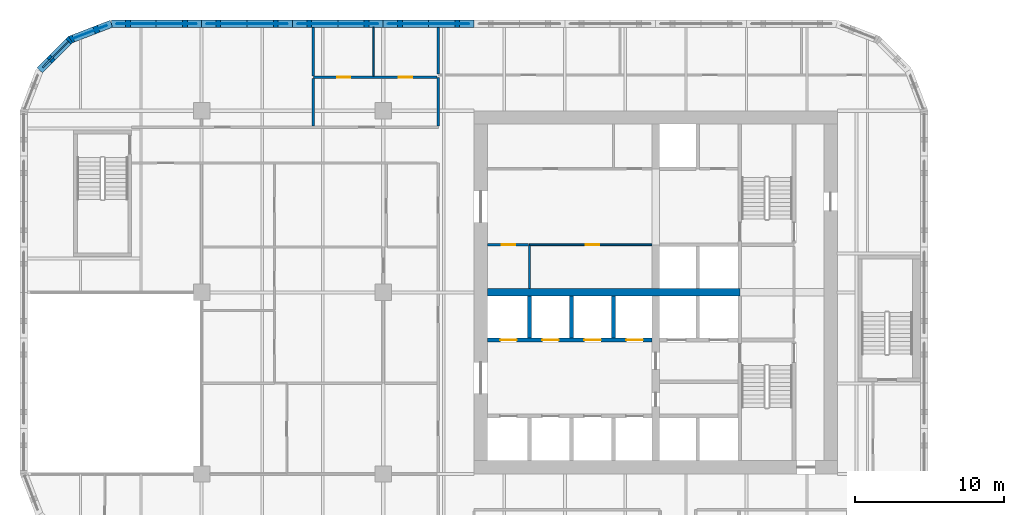
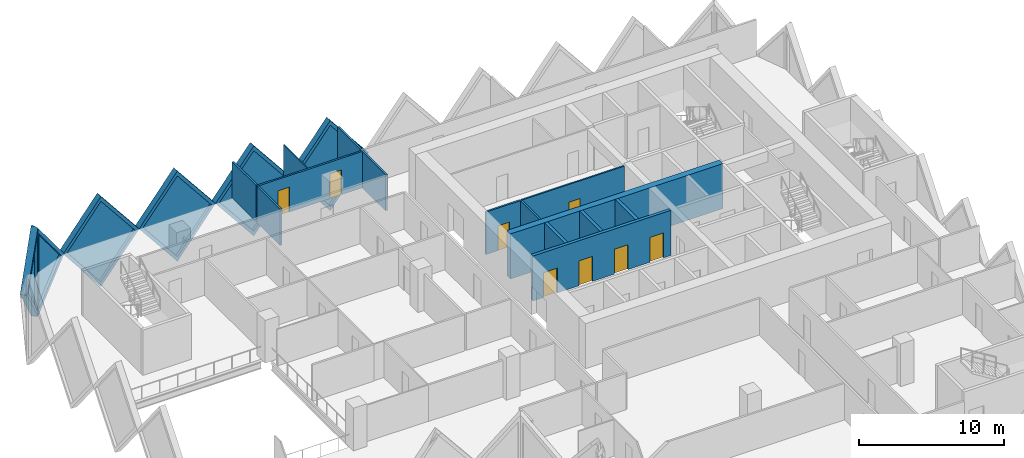
# One storey, part 9 of 19: 20 walls, 8 doors, 6 plates, 14 openings.
"""IFC4 building model written with IfcOpenShell, lengths in metres."""

import ifcopenshell
import ifcopenshell.guid

model = None  # the IFC model being written
_history = None  # IfcOwnerHistory: only IFC2X3 demands one
_inside = {}  # id of a spatial element -> (the spatial element, [elements in it])
_under = {}  # id of a project, library or spatial element -> (it, [spatial elements below it])
_declared = {}  # id of a project -> (the project, [libraries it declares])
_typed = {}  # id of a type object -> (the type object, [elements of that type])
_made_of = {}  # id of a material, layer set ... -> (it, [elements and type objects made of it])


def new_model(schema):
    """Start an empty IFC model of exactly this schema.

    Asked for "IFC4X3", IfcOpenShell would pick the latest addendum, in which some entities
    have other attributes; the version numbers below select the first issue.
    IFC2X3 requires an IfcOwnerHistory on every rooted entity: one is made here for all.
    """
    global model, _history
    if schema == "IFC4X3":
        model = ifcopenshell.file(schema_version=(4, 3, 0, 0))
    else:
        model = ifcopenshell.file(schema=schema)
    _inside.clear()
    _under.clear()
    _declared.clear()
    _typed.clear()
    _made_of.clear()
    _history = None
    if model.schema == "IFC2X3":
        org = make("IfcOrganization", Name="unknown")
        user = make(
            "IfcPersonAndOrganization",
            ThePerson=make("IfcPerson", FamilyName="unknown"),
            TheOrganization=org,
        )
        app = make(
            "IfcApplication",
            ApplicationDeveloper=org,
            Version="unknown",
            ApplicationFullName="unknown",
            ApplicationIdentifier="unknown",
        )
        _history = make(
            "IfcOwnerHistory",
            OwningUser=user,
            OwningApplication=app,
            ChangeAction="ADDED",
            CreationDate=0,
        )
    return model


def make(cls, **values):
    """One entity of the class cls with the attributes given. An attribute that is None is left unset."""
    return model.create_entity(
        cls, **{name: value for name, value in values.items() if value is not None}
    )


def rooted(cls, **values):
    """An entity with a GlobalId (a new one), such as an element, a storey or a relation."""
    return make(cls, GlobalId=ifcopenshell.guid.new(), OwnerHistory=_history, **values)


def si_unit(unit_type, name, prefix=None):
    """IfcSIUnit, for example si_unit("LENGTHUNIT", "METRE", prefix="MILLI")."""
    return make("IfcSIUnit", UnitType=unit_type, Prefix=prefix, Name=name)


def assignment(units):
    """IfcUnitAssignment: the units of a project."""
    return None if units is None else make("IfcUnitAssignment", Units=units)


def point(xyz):
    """IfcCartesianPoint."""
    return None if xyz is None else make("IfcCartesianPoint", Coordinates=xyz)


def direction(xyz):
    """IfcDirection."""
    return None if xyz is None else make("IfcDirection", DirectionRatios=xyz)


def frame(location, z_axis=None, x_axis=None):
    """IfcAxis2Placement3D, a coordinate frame: its origin and axes. An axis left out is left unset."""
    return make(
        "IfcAxis2Placement3D",
        Location=point(location),
        Axis=direction(z_axis),
        RefDirection=direction(x_axis),
    )


def frame_2d(location, x_axis=None):
    """IfcAxis2Placement2D, a coordinate frame in the plane: its origin and x axis."""
    return make(
        "IfcAxis2Placement2D", Location=point(location), RefDirection=direction(x_axis)
    )


def origin():
    """The frame at (0, 0, 0) with its axes left unset."""
    return frame((0.0, 0.0, 0.0))


def place(relative_to, where):
    """IfcLocalPlacement: puts the frame where relative to a parent placement (None: the world)."""
    return make(
        "IfcLocalPlacement", PlacementRelTo=relative_to, RelativePlacement=where
    )


def context(
    kind, dimensions, precision=None, world=None, true_north=None, identifier=None
):
    """IfcGeometricRepresentationContext, for example the 3D "Model" context."""
    return make(
        "IfcGeometricRepresentationContext",
        ContextIdentifier=identifier,
        ContextType=kind,
        CoordinateSpaceDimension=dimensions,
        Precision=precision,
        WorldCoordinateSystem=world,
        TrueNorth=true_north,
    )


def subcontext(parent, identifier, kind, view, scale=None):
    """IfcGeometricRepresentationSubContext, for example "Body" below "Model"."""
    return make(
        "IfcGeometricRepresentationSubContext",
        ContextIdentifier=identifier,
        ContextType=kind,
        ParentContext=parent,
        TargetScale=scale,
        TargetView=view,
    )


def project(units=None, contexts=None):
    """IfcProject with its units and contexts."""
    return rooted(
        "IfcProject",
        Name="project",
        RepresentationContexts=contexts,
        UnitsInContext=assignment(units),
    )


def spatial(cls, under=None, at=None, **own):
    """A site, building, storey or space (cls), placed at a placement, below another one or the project."""
    s = rooted(cls, ObjectPlacement=at, **own)
    if under is not None:
        _under.setdefault(under.id(), (under, []))[1].append(s)
    return s


def polyline(points):
    """IfcPolyline through the points."""
    return make("IfcPolyline", Points=[point(p) for p in points])


def profile(cls, at=None, kind="AREA", **sizes):
    """A parametric profile (cls). Its sizes go by their IFC names, for example OverallWidth=200.0."""
    return make(cls, ProfileType=kind, Position=at, **sizes)


def rectangle(**sizes):
    """IfcRectangleProfileDef."""
    return profile("IfcRectangleProfileDef", **sizes)


def outline(outer, holes=None, kind="AREA"):
    """IfcArbitraryClosedProfileDef: a profile drawn as a closed curve; with holes, ...WithVoids."""
    if holes is None:
        return make("IfcArbitraryClosedProfileDef", ProfileType=kind, OuterCurve=outer)
    return make(
        "IfcArbitraryProfileDefWithVoids",
        ProfileType=kind,
        OuterCurve=outer,
        InnerCurves=holes,
    )


def extrude(swept, where, along, depth):
    """IfcExtrudedAreaSolid: the profile swept, set in the frame where, extruded along a direction by depth."""
    return make(
        "IfcExtrudedAreaSolid",
        SweptArea=swept,
        Position=where,
        ExtrudedDirection=direction(along),
        Depth=depth,
    )


def faces_of(points, faces, orient=None, outer=None):
    """IfcFace entities. A face is a list of loops; a loop is a list of indices into points, from 0.

    orient and outer hold one flag for each loop. By default every Orientation is true, the
    first loop of a face is its IfcFaceOuterBound and the others are IfcFaceBound.
    """
    made = []
    for i, loops in enumerate(faces):
        bounds = []
        for j, loop in enumerate(loops):
            is_outer = j == 0 if outer is None else outer[i][j]
            bounds.append(
                make(
                    "IfcFaceOuterBound" if is_outer else "IfcFaceBound",
                    Bound=make("IfcPolyLoop", Polygon=[points[k] for k in loop]),
                    Orientation=True if orient is None else orient[i][j],
                )
            )
        made.append(make("IfcFace", Bounds=bounds))
    return made


def faceted_brep(points, faces, orient=None, outer=None, voids=None):
    """IfcFacetedBrep: a solid bounded by flat faces; with voids (closed shells), ...WithVoids."""
    shared = [point(p) for p in points]
    hull = make("IfcClosedShell", CfsFaces=faces_of(shared, faces, orient, outer))
    if voids is None:
        return make("IfcFacetedBrep", Outer=hull)
    return make(
        "IfcFacetedBrepWithVoids",
        Outer=hull,
        Voids=[
            make(cls, CfsFaces=faces_of(shared, fs, o, b)) for cls, fs, o, b in voids
        ],
    )


def shape(context_of_items, identifier, shape_type, items):
    """IfcShapeRepresentation: the items that make up one representation, for example the "Body"."""
    return make(
        "IfcShapeRepresentation",
        ContextOfItems=context_of_items,
        RepresentationIdentifier=identifier,
        RepresentationType=shape_type,
        Items=items,
    )


def source(mapping_origin, context_of_items, identifier, shape_type, items):
    """IfcRepresentationMap: a shape defined once, which mapped items show again and again."""
    return make(
        "IfcRepresentationMap",
        MappingOrigin=mapping_origin,
        MappedRepresentation=shape(context_of_items, identifier, shape_type, items),
    )


def transform(
    local_origin,
    x_axis=None,
    y_axis=None,
    z_axis=None,
    scale=None,
    scale2=None,
    scale3=None,
    uniform=True,
):
    """IfcCartesianTransformationOperator3D, or its non-uniform kind. x_axis, y_axis, z_axis: its Axis1, 2, 3."""
    if uniform:
        return make(
            "IfcCartesianTransformationOperator3D",
            Axis1=direction(x_axis),
            Axis2=direction(y_axis),
            LocalOrigin=point(local_origin),
            Scale=scale,
            Axis3=direction(z_axis),
        )
    return make(
        "IfcCartesianTransformationOperator3DnonUniform",
        Axis1=direction(x_axis),
        Axis2=direction(y_axis),
        LocalOrigin=point(local_origin),
        Scale=scale,
        Axis3=direction(z_axis),
        Scale2=scale2,
        Scale3=scale3,
    )


def mapped(mapping_source, mapping_target):
    """IfcMappedItem: shows the shape of a source again, moved by a transform."""
    return make(
        "IfcMappedItem", MappingSource=mapping_source, MappingTarget=mapping_target
    )


def material(Name=None, Category=None):
    """IfcMaterial."""
    return make("IfcMaterial", Name=Name, Category=Category)


def layer(
    of_material, thickness, ventilated=None, Name=None, Category=None, Priority=None
):
    """IfcMaterialLayer: one layer of a wall or slab, of a material (None: an air gap)."""
    return make(
        "IfcMaterialLayer",
        Material=of_material,
        LayerThickness=thickness,
        IsVentilated=ventilated,
        Name=Name,
        Category=Category,
        Priority=Priority,
    )


def layer_set(layers, Name=None):
    """IfcMaterialLayerSet."""
    return make("IfcMaterialLayerSet", MaterialLayers=layers, LayerSetName=Name)


def made_of(thing, what):
    """Note that an element or type object is made of a material, layer set ...; save() writes the relation."""
    if what is not None:
        _made_of.setdefault(what.id(), (what, []))[1].append(thing)
    return thing


def type_object(cls, material=None, **own):
    """A type object (cls), such as IfcWallType, which elements share."""
    return made_of(rooted(cls, **own), material)


def element(
    cls,
    number,
    at=None,
    inside=None,
    cuts=None,
    type_object=None,
    material=None,
    context=None,
    identifier="Body",
    shape_type=None,
    held_by="IfcProductDefinitionShape",
    body=None,
    shapes=None,
    **own,
):
    """One element of the class cls, such as IfcWall. Its Tag is "e" and its number.

    at: its placement. inside: the storey or other place that contains it. cuts: it is an
    opening in that element (IfcRelVoidsElement). A single representation is given by context,
    identifier, shape_type and body (its items); several are given by shapes. held_by: the class
    of the entity that holds the representations. save() writes the other relations.
    """
    e = rooted(cls, Tag="e%d" % number, ObjectPlacement=at, **own)
    if body is not None:
        shapes = [shape(context, identifier, shape_type, body)]
    if shapes is not None:
        e.Representation = make(held_by, Representations=shapes)
    if inside is not None:
        _inside.setdefault(inside.id(), (inside, []))[1].append(e)
    if cuts is not None:
        rooted(
            "IfcRelVoidsElement", RelatingBuildingElement=cuts, RelatedOpeningElement=e
        )
    if type_object is not None:
        _typed.setdefault(type_object.id(), (type_object, []))[1].append(e)
    return made_of(e, material)


def fill(opening, filler):
    """IfcRelFillsElement: the door or window that sits in an opening."""
    return rooted(
        "IfcRelFillsElement",
        RelatingOpeningElement=opening,
        RelatedBuildingElement=filler,
    )


def aggregate(whole, parts):
    """IfcRelAggregates: a whole, such as a stair, and the parts it consists of."""
    return rooted("IfcRelAggregates", RelatingObject=whole, RelatedObjects=parts)


def save(model, path):
    """Write the relations noted so far, then the file.

    IfcRelAggregates (storeys below a building ...), IfcRelContainedInSpatialStructure (elements
    in a storey), IfcRelDefinesByType, IfcRelAssociatesMaterial and IfcRelDeclares: one each for
    every whole, place, type object, material and project.
    """
    for whole, parts in _under.values():
        aggregate(whole, parts)
    for where, things in _inside.values():
        rooted(
            "IfcRelContainedInSpatialStructure",
            RelatedElements=things,
            RelatingStructure=where,
        )
    for kind, things in _typed.values():
        rooted("IfcRelDefinesByType", RelatedObjects=things, RelatingType=kind)
    for what, things in _made_of.values():
        rooted("IfcRelAssociatesMaterial", RelatedObjects=things, RelatingMaterial=what)
    for by, libraries in _declared.values():
        rooted("IfcRelDeclares", RelatingContext=by, RelatedDefinitions=libraries)
    model.write(path)


model = new_model("IFC4")

# Units and contexts
model_context = context("Model", 3, precision=1e-05, world=origin(), true_north=direction((0.0, 1.0)))
body_context = subcontext(model_context, "Body", "Model", "MODEL_VIEW")
ifc_project = project(units=[si_unit("LENGTHUNIT", "METRE"), si_unit("AREAUNIT", "SQUARE_METRE"), si_unit("VOLUMEUNIT", "CUBIC_METRE"), si_unit("PLANEANGLEUNIT", "RADIAN"), si_unit("MASSUNIT", "GRAM", prefix="KILO")], contexts=[model_context])

# Site, building, storey
site_placement = place(None, origin())
site = spatial("IfcSite", under=ifc_project, at=site_placement, CompositionType="ELEMENT")
building_placement = place(site_placement, origin())
building = spatial("IfcBuilding", under=site, at=building_placement, Name="Tessera Gate Towers", CompositionType="ELEMENT")
storey_placement = place(building_placement, frame((0.0, 0.0, 29.60009765625)))
storey = spatial("IfcBuildingStorey", under=building, at=storey_placement, Name="L06", CompositionType="ELEMENT", Elevation=29.60009765625)

# Wall, openings, doors
ifc_material_1 = material(Name="Concrete C40/50", Category="concrete")
ifc_layer_1 = layer(ifc_material_1, 0.25)
ifc_layer_set_1 = layer_set([ifc_layer_1], Name="CORE ENCLOSURE WALL 250")
wall_type_1 = type_object("IfcWallType", Name="CORE ENCLOSURE WALL 250", PredefinedType="SOLIDWALL", material=ifc_layer_set_1)
wall_1_placement = place(storey_placement, frame((42.449951171875, 33.39990234375, 0.0), z_axis=(0.0, 0.0, 1.0), x_axis=(-1.0, 0.0, 0.0)))
wall_1 = element("IfcWall", 1, at=wall_1_placement, inside=storey, type_object=wall_type_1, Name="L06 shaft and stair enclosure wall", PredefinedType="SOLIDWALL", context=body_context, shape_type="SweptSolid", body=[
    extrude(rectangle(XDim=11.050048828125, YDim=0.25, at=frame_2d((5.52490234375, 0.0))), origin(), (0.0, 0.0, 1.0), 3.7998046875),
])
shared_shape_1 = source(origin(), body_context, "Body", "SweptSolid", [
    extrude(rectangle(XDim=1.10009765625, YDim=2.10009765625, at=frame_2d((0.550048828125, 1.050048828125))), frame((0.0, 0.135009765625, 0.0), z_axis=(0.0, -1.0, 0.0), x_axis=(1.0, 0.0, 0.0)), (0.0, 0.0, 1.0), 0.27001953125),
])
opening_1_placement = place(wall_1_placement, frame((9.08740234375, 0.0, 0.0)))
opening_1 = element("IfcOpeningElement", 2, at=opening_1_placement, cuts=wall_1, Name="Opening LD-LR5", PredefinedType="OPENING", context=body_context, shape_type="MappedRepresentation", body=[
    mapped(shared_shape_1, transform((0.0, 0.0, 0.0), scale=1.0)),
])
opening_2_placement = place(wall_1_placement, frame((6.262451171875, 0.0, 0.0)))
opening_2 = element("IfcOpeningElement", 3, at=opening_2_placement, cuts=wall_1, Name="Opening LD-LR6", PredefinedType="OPENING", context=body_context, shape_type="MappedRepresentation", body=[
    mapped(shared_shape_1, transform((0.0, 0.0, 0.0), scale=1.0)),
])
opening_3_placement = place(wall_1_placement, frame((3.4375, 0.0, 0.0)))
opening_3 = element("IfcOpeningElement", 4, at=opening_3_placement, cuts=wall_1, Name="Opening LD-LR7", PredefinedType="OPENING", context=body_context, shape_type="MappedRepresentation", body=[
    mapped(shared_shape_1, transform((0.0, 0.0, 0.0), scale=1.0)),
])
opening_4_placement = place(wall_1_placement, frame((0.612548828125, 0.0, 0.0)))
opening_4 = element("IfcOpeningElement", 5, at=opening_4_placement, cuts=wall_1, Name="Opening LD-LR8", PredefinedType="OPENING", context=body_context, shape_type="MappedRepresentation", body=[
    mapped(shared_shape_1, transform((0.0, 0.0, 0.0), scale=1.0)),
])
ifc_material_2 = material(Name="Stainless steel", Category="steel")
door_type_1 = type_object("IfcDoorType", Name="CORE DOOR LD 1100x2100", OperationType="DOUBLE_DOOR_SLIDING", PredefinedType="DOOR", material=ifc_material_2)
shared_shape_2 = source(origin(), body_context, "Body", "SweptSolid", [
    extrude(rectangle(XDim=1.10009765625, YDim=2.10009765625, at=frame_2d((0.550048828125, 1.050048828125))), frame((0.0, 0.02490234375, 0.0), z_axis=(0.0, -1.0, 0.0), x_axis=(1.0, 0.0, 0.0)), (0.0, 0.0, 1.0), 0.050048828125),
])
door_1_placement = place(opening_1_placement, origin())
door_1 = element("IfcDoor", 6, at=door_1_placement, inside=storey, type_object=door_type_1, Name="Landing door LR5 L06", OperationType="DOUBLE_DOOR_SLIDING", OverallHeight=2.10009765625, OverallWidth=1.10009765625, PredefinedType="DOOR", context=body_context, shape_type="MappedRepresentation", body=[
    mapped(shared_shape_2, transform((0.0, 0.0, 0.0), scale=1.0)),
])
fill(opening_1, door_1)
door_2_placement = place(opening_2_placement, origin())
door_2 = element("IfcDoor", 7, at=door_2_placement, inside=storey, type_object=door_type_1, Name="Landing door LR6 L06", OperationType="DOUBLE_DOOR_SLIDING", OverallHeight=2.10009765625, OverallWidth=1.10009765625, PredefinedType="DOOR", context=body_context, shape_type="MappedRepresentation", body=[
    mapped(shared_shape_2, transform((0.0, 0.0, 0.0), scale=1.0)),
])
fill(opening_2, door_2)
door_3_placement = place(opening_3_placement, origin())
door_3 = element("IfcDoor", 8, at=door_3_placement, inside=storey, type_object=door_type_1, Name="Landing door LR7 L06", OperationType="DOUBLE_DOOR_SLIDING", OverallHeight=2.10009765625, OverallWidth=1.10009765625, PredefinedType="DOOR", context=body_context, shape_type="MappedRepresentation", body=[
    mapped(shared_shape_2, transform((0.0, 0.0, 0.0), scale=1.0)),
])
fill(opening_3, door_3)
door_4_placement = place(opening_4_placement, origin())
door_4 = element("IfcDoor", 9, at=door_4_placement, inside=storey, type_object=door_type_1, Name="Landing door LR8 L06", OperationType="DOUBLE_DOOR_SLIDING", OverallHeight=2.10009765625, OverallWidth=1.10009765625, PredefinedType="DOOR", context=body_context, shape_type="MappedRepresentation", body=[
    mapped(shared_shape_2, transform((0.0, 0.0, 0.0), scale=1.0)),
])
fill(opening_4, door_4)

# Walls
for number, where, z_axis, x_axis, name in (
    (10, (34.22509765625, 33.52490234375, 0.0), (0.0, 0.0, 1.0), (0.0, 1.0, 0.0), "L06 shaft and stair enclosure wall"),
    (11, (37.050048828125, 33.52490234375, 0.0), (0.0, 0.0, 1.0), (0.0, 1.0, 0.0), "L06 shaft and stair enclosure wall"),
    (12, (39.875, 33.52490234375, 0.0), (0.0, 0.0, 1.0), (0.0, 1.0, 0.0), "L06 shaft and stair enclosure wall"),
):
    element("IfcWall", number, at=place(storey_placement, frame(where, z_axis=z_axis, x_axis=x_axis)), inside=storey, type_object=wall_type_1, Name=name, PredefinedType="SOLIDWALL", context=body_context, shape_type="SweptSolid", body=[
        extrude(rectangle(XDim=2.8251953125, YDim=0.25, at=frame_2d((1.41259765625, 0.0))), origin(), (0.0, 0.0, 1.0), 3.7998046875),
    ])

# Wall, opening, door
ifc_material_3 = material(Name="Gypsum board on steel studs", Category="steel")
ifc_layer_2 = layer(ifc_material_3, 0.1201171875)
ifc_layer_set_2 = layer_set([ifc_layer_2], Name="CORE PARTITION 120")
wall_type_2 = type_object("IfcWallType", Name="CORE PARTITION 120", PredefinedType="PARTITIONING", material=ifc_layer_set_2)
wall_2_placement = place(storey_placement, frame((42.449951171875, 39.800048828125, 0.0), z_axis=(0.0, 0.0, 1.0), x_axis=(-1.0, 0.0, 0.0)))
wall_2 = element("IfcWall", 13, at=wall_2_placement, inside=storey, type_object=wall_type_2, Name="L06 core partition", PredefinedType="PARTITIONING", context=body_context, shape_type="SweptSolid", body=[
    extrude(rectangle(XDim=8.224853515625, YDim=0.1201171875, at=frame_2d((4.1123046875, 0.0))), origin(), (0.0, 0.0, 1.0), 3.599853515625),
])
shared_shape_3 = source(origin(), body_context, "Body", "SweptSolid", [
    extrude(rectangle(XDim=0.89990234375, YDim=2.10009765625, at=frame_2d((0.449951171875, 1.050048828125))), frame((0.0, 0.070068359375, 0.0), z_axis=(0.0, -1.0, 0.0), x_axis=(1.0, 0.0, 0.0)), (0.0, 0.0, 1.0), 0.14013671875),
])
opening_5_placement = place(wall_2_placement, frame((3.53759765625, 0.0, 0.0)))
opening_5 = element("IfcOpeningElement", 14, at=opening_5_placement, cuts=wall_2, Name="Opening RD-T1-06-09", PredefinedType="OPENING", context=body_context, shape_type="MappedRepresentation", body=[
    mapped(shared_shape_3, transform((0.0, 0.0, 0.0), scale=1.0)),
])
ifc_material_4 = material(Name="Hollow steel fire door", Category="steel")
door_type_2 = type_object("IfcDoorType", Name="CORE DOOR RD 900x2100", OperationType="NOTDEFINED", PredefinedType="DOOR", material=ifc_material_4)
shared_shape_4 = source(origin(), body_context, "Body", "SweptSolid", [
    extrude(rectangle(XDim=0.89990234375, YDim=2.10009765625, at=frame_2d((0.449951171875, 1.050048828125))), frame((0.0, 0.02490234375, 0.0), z_axis=(0.0, -1.0, 0.0), x_axis=(1.0, 0.0, 0.0)), (0.0, 0.0, 1.0), 0.050048828125),
])
door_5_placement = place(opening_5_placement, origin())
door_5 = element("IfcDoor", 15, at=door_5_placement, inside=storey, type_object=door_type_2, Name="Core room door", OperationType="SINGLE_SWING_LEFT", OverallHeight=2.10009765625, OverallWidth=0.89990234375, PredefinedType="DOOR", context=body_context, shape_type="MappedRepresentation", body=[
    mapped(shared_shape_4, transform((0.0, 0.0, 0.0), scale=1.0)),
])
fill(opening_5, door_5)

# Walls
ifc_material_5 = material(Name="Concrete C70/85", Category="concrete")
ifc_layer_3 = layer(ifc_material_5, 0.5)
ifc_layer_set_3 = layer_set([ifc_layer_3], Name="CORE SPINE WALL 500 C70/85")
wall_type_3 = type_object("IfcWallType", Name="CORE SPINE WALL 500 C70/85", PredefinedType="SHEAR", material=ifc_layer_set_3)
wall_3_placement = place(storey_placement, frame((31.39990234375, 36.60009765625, 0.0), z_axis=(0.0, 0.0, 1.0), x_axis=(1.0, 0.0, 0.0)))
element("IfcWall", 16, at=wall_3_placement, inside=storey, type_object=wall_type_3, Name="Core wall spine L06", PredefinedType="SHEAR", context=body_context, shape_type="SweptSolid", body=[
    extrude(rectangle(XDim=16.9501953125, YDim=0.5, at=frame_2d((8.47509765625, 0.0))), origin(), (0.0, 0.0, 1.0), 3.7998046875),
])
ifc_material_6 = material(Name="Gypsum board on steel studs, mineral wool", Category="steel")
ifc_layer_4 = layer(ifc_material_6, 0.14990234375)
ifc_layer_set_4 = layer_set([ifc_layer_4], Name="CORRIDOR WALL 150")
wall_type_4 = type_object("IfcWallType", Name="CORRIDOR WALL 150", PredefinedType="PARTITIONING", material=ifc_layer_set_4)
wall_4_placement = place(storey_placement, frame((28.10009765625, 47.77587890625, 0.0), z_axis=(0.0, 0.0, 1.0), x_axis=(0.0, 1.0, 0.0)))
element("IfcWall", 17, at=wall_4_placement, inside=storey, type_object=wall_type_4, Name="T1-L06-PW-049", PredefinedType="PARTITIONING", context=body_context, shape_type="SweptSolid", body=[
    extrude(rectangle(XDim=3.274169921875, YDim=0.14990234375, at=frame_2d((1.63720703125, 0.0))), origin(), (0.0, 0.0, 1.0), 3.06689453125),
])
ifc_material_7 = material(Name="Gypsum board on steel studs", Category="steel")
ifc_layer_5 = layer(ifc_material_7, 0.10009765625)
ifc_layer_set_5 = layer_set([ifc_layer_5], Name="PARTITION 100")
wall_type_5 = type_object("IfcWallType", Name="PARTITION 100", PredefinedType="PARTITIONING", material=ifc_layer_set_5)
wall_5_placement = place(storey_placement, frame((23.758056640625, 51.1259765625, 0.0), z_axis=(0.0, 0.0, 1.0), x_axis=(0.0, 1.0, 0.0)))
element("IfcWall", 18, at=wall_5_placement, inside=storey, type_object=wall_type_5, Name="T1-L06-PW-053", PredefinedType="PARTITIONING", context=body_context, shape_type="SweptSolid", body=[
    extrude(rectangle(XDim=3.27392578125, YDim=0.10009765625, at=frame_2d((1.636962890625, 0.0))), origin(), (0.0, 0.0, 1.0), 3.06689453125),
])
ifc_material_8 = material(Name="Gypsum board on steel studs", Category="steel")
ifc_layer_6 = layer(ifc_material_8, 0.14990234375)
ifc_layer_set_6 = layer_set([ifc_layer_6], Name="SERVICE ROOM WALL 150")
wall_type_6 = type_object("IfcWallType", Name="SERVICE ROOM WALL 150", PredefinedType="PARTITIONING", material=ifc_layer_set_6)
wall_6_placement = place(storey_placement, frame((34.22509765625, 36.85009765625, 0.0), z_axis=(0.0, 0.0, 1.0), x_axis=(0.0, 1.0, 0.0)))
element("IfcWall", 19, at=wall_6_placement, inside=storey, type_object=wall_type_6, Name="L06 service room wall", PredefinedType="PARTITIONING", context=body_context, shape_type="SweptSolid", body=[
    extrude(rectangle(XDim=2.889892578125, YDim=0.14990234375, at=frame_2d((1.44482421875, 0.0))), origin(), (0.0, 0.0, 1.0), 3.599853515625),
])

# Wall, opening, door
wall_7_placement = place(storey_placement, frame((34.14990234375, 39.800048828125, 0.0), z_axis=(0.0, 0.0, 1.0), x_axis=(-1.0, 0.0, 0.0)))
wall_7 = element("IfcWall", 20, at=wall_7_placement, inside=storey, type_object=wall_type_6, Name="L06 service room wall", PredefinedType="PARTITIONING", context=body_context, shape_type="SweptSolid", body=[
    extrude(rectangle(XDim=2.75, YDim=0.14990234375, at=frame_2d((1.375, 0.0))), origin(), (0.0, 0.0, 1.0), 3.599853515625),
])
shared_shape_5 = source(origin(), body_context, "Body", "SweptSolid", [
    extrude(rectangle(XDim=0.89990234375, YDim=2.10009765625, at=frame_2d((0.449951171875, 1.050048828125))), frame((0.0, 0.0849609375, 0.0), z_axis=(0.0, -1.0, 0.0), x_axis=(1.0, 0.0, 0.0)), (0.0, 0.0, 1.0), 0.169921875),
])
opening_6_placement = place(wall_7_placement, frame((0.887451171875, 0.0, 0.0)))
opening_6 = element("IfcOpeningElement", 21, at=opening_6_placement, cuts=wall_7, Name="Opening RD-T1-06-12", PredefinedType="OPENING", context=body_context, shape_type="MappedRepresentation", body=[
    mapped(shared_shape_5, transform((0.0, 0.0, 0.0), scale=1.0)),
])
door_6_placement = place(opening_6_placement, origin())
door_6 = element("IfcDoor", 22, at=door_6_placement, inside=storey, type_object=door_type_2, Name="Core room door", OperationType="SINGLE_SWING_LEFT", OverallHeight=2.10009765625, OverallWidth=0.89990234375, PredefinedType="DOOR", context=body_context, shape_type="MappedRepresentation", body=[
    mapped(shared_shape_4, transform((0.0, 0.0, 0.0), scale=1.0)),
])
fill(opening_6, door_6)

# Wall
ifc_material_9 = material(Name="Gypsum board on steel studs, mineral wool", Category="steel")
ifc_layer_7 = layer(ifc_material_9, 0.14990234375)
ifc_layer_set_7 = layer_set([ifc_layer_7], Name="TENANCY WALL 150")
wall_type_7 = type_object("IfcWallType", Name="TENANCY WALL 150", PredefinedType="PARTITIONING", material=ifc_layer_set_7)
wall_8_placement = place(storey_placement, frame((19.699951171875, 47.77587890625, 0.0), z_axis=(0.0, 0.0, 1.0), x_axis=(0.0, 1.0, 0.0)))
element("IfcWall", 23, at=wall_8_placement, inside=storey, type_object=wall_type_7, Name="T1-L06-PW-048", PredefinedType="PARTITIONING", context=body_context, shape_type="SweptSolid", body=[
    extrude(rectangle(XDim=3.1982421875, YDim=0.14990234375, at=frame_2d((1.59912109375, 0.0))), origin(), (0.0, 0.0, 1.0), 3.06689453125),
])

# Wall, openings, doors
wall_9_placement = place(storey_placement, frame((19.699951171875, 51.050048828125, 0.0), z_axis=(0.0, 0.0, 1.0), x_axis=(1.0, 0.0, 0.0)))
wall_9 = element("IfcWall", 24, at=wall_9_placement, inside=storey, type_object=wall_type_7, Name="T1-L06-PW-051", PredefinedType="PARTITIONING", context=body_context, shape_type="SweptSolid", body=[
    extrude(rectangle(XDim=8.323974609375, YDim=0.14990234375, at=frame_2d((4.162109375, 0.0))), origin(), (0.0, 0.0, 1.0), 3.06689453125),
])
opening_7_placement = place(wall_9_placement, frame((1.60009765625, 0.0, 0.0)))
opening_7 = element("IfcOpeningElement", 25, at=opening_7_placement, cuts=wall_9, Name="Opening D190-A02-01", PredefinedType="OPENING", context=body_context, shape_type="MappedRepresentation", body=[
    mapped(shared_shape_5, transform((0.0, 0.0, 0.0), scale=1.0)),
])
opening_8_placement = place(wall_9_placement, frame((5.758056640625, 0.0, 0.0)))
opening_8 = element("IfcOpeningElement", 26, at=opening_8_placement, cuts=wall_9, Name="Opening D190-A02-04", PredefinedType="OPENING", context=body_context, shape_type="MappedRepresentation", body=[
    mapped(shared_shape_5, transform((0.0, 0.0, 0.0), scale=1.0)),
])
ifc_material_10 = material(Name="Timber door leaf in steel frame", Category="steel")
door_type_3 = type_object("IfcDoorType", Name="INTERNAL DOOR 900 NOT RATED", OperationType="NOTDEFINED", PredefinedType="DOOR", material=ifc_material_10)
door_7_placement = place(opening_7_placement, origin())
door_7 = element("IfcDoor", 27, at=door_7_placement, inside=storey, type_object=door_type_3, Name="T1-L06-PD-002", OperationType="SINGLE_SWING_LEFT", OverallHeight=2.10009765625, OverallWidth=0.89990234375, PredefinedType="DOOR", context=body_context, shape_type="MappedRepresentation", body=[
    mapped(shared_shape_4, transform((0.0, 0.0, 0.0), scale=1.0)),
])
fill(opening_7, door_7)
door_8_placement = place(opening_8_placement, origin())
door_8 = element("IfcDoor", 28, at=door_8_placement, inside=storey, type_object=door_type_3, Name="T1-L06-PD-005", OperationType="SINGLE_SWING_LEFT", OverallHeight=2.10009765625, OverallWidth=0.89990234375, PredefinedType="DOOR", context=body_context, shape_type="MappedRepresentation", body=[
    mapped(shared_shape_4, transform((0.0, 0.0, 0.0), scale=1.0)),
])
fill(opening_8, door_8)

# Walls
wall_10_placement = place(storey_placement, frame((19.699951171875, 51.1259765625, 0.0), z_axis=(0.0, 0.0, 1.0), x_axis=(0.0, 1.0, 0.0)))
element("IfcWall", 29, at=wall_10_placement, inside=storey, type_object=wall_type_7, Name="T1-L06-PW-052", PredefinedType="PARTITIONING", context=body_context, shape_type="SweptSolid", body=[
    extrude(rectangle(XDim=3.27392578125, YDim=0.14990234375, at=frame_2d((1.636962890625, 0.0))), origin(), (0.0, 0.0, 1.0), 3.06689453125),
])
wall_11_placement = place(storey_placement, frame((28.10009765625, 51.27587890625, 0.0), z_axis=(0.0, 0.0, 1.0), x_axis=(0.0, 1.0, 0.0)))
element("IfcWall", 30, at=wall_11_placement, inside=storey, type_object=wall_type_7, Name="T1-L06-PW-055", PredefinedType="PARTITIONING", context=body_context, shape_type="SweptSolid", body=[
    extrude(rectangle(XDim=3.1240234375, YDim=0.14990234375, at=frame_2d((1.56201171875, 0.0))), origin(), (0.0, 0.0, 1.0), 3.06689453125),
])

# Wall, opening, plate
ifc_material_11 = material(Name="Precast concrete C60/75 white", Category="concrete")
ifc_layer_8 = layer(ifc_material_11, 0.5)
ifc_layer_set_8 = layer_set([ifc_layer_8], Name="TS1 tessera")
wall_type_8 = type_object("IfcWallType", Name="TS1 tessera", PredefinedType="SOLIDWALL", material=ifc_layer_set_8)
shared_shape_6 = source(origin(), body_context, "Body", "Brep", [
    faceted_brep([(3.050048828125, -0.25, 0.0), (6.099853515625, -0.25, 3.7998046875), (6.099853515625, -0.25, 3.80029296875), (3.050048828125, -0.25, 7.599853515625), (0.0, -0.25, 3.800048828125), (0.0, 0.25, 3.800048828125), (3.050048828125, 0.25, 7.599853515625), (6.099853515625, 0.25, 3.80029296875), (6.099853515625, 0.25, 3.7998046875), (3.050048828125, 0.25, 0.0)], [[[0, 1, 2, 3, 4]], [[5, 6, 7, 8, 9]], [[9, 8, 1, 0]], [[7, 6, 3, 2]], [[6, 5, 4, 3]], [[5, 9, 0, 4]], [[1, 8, 7, 2]]]),
])
wall_12_placement = place(storey_placement, frame((24.39990234375, 54.64990234375, -3.800048828125), z_axis=(0.0, 0.0, 1.0), x_axis=(-1.0, 0.0, 0.0)))
wall_12 = element("IfcWall", 31, at=wall_12_placement, inside=storey, type_object=wall_type_8, Name="Precast tessera T1 TS1-0038", PredefinedType="SOLIDWALL", context=body_context, shape_type="MappedRepresentation", body=[
    mapped(shared_shape_6, transform((0.0, 0.0, 0.0), scale=1.0)),
])
shared_shape_7 = source(origin(), body_context, "Body", "SweptSolid", [
    extrude(outline(polyline([(3.050048828125, 0.3994140625), (5.779541015625, 3.800048828125), (3.050048828125, 7.200439453125), (0.320556640625, 3.800048828125), (3.050048828125, 0.3994140625)])), frame((0.0, 0.260009765625, 0.0), z_axis=(0.0, -1.0, 0.0), x_axis=(1.0, 0.0, 0.0)), (0.0, 0.0, 1.0), 0.52001953125),
])
opening_9_placement = place(wall_12_placement, origin())
opening_9 = element("IfcOpeningElement", 32, at=opening_9_placement, cuts=wall_12, Name="Opening T1-PL2-0070", PredefinedType="OPENING", context=body_context, shape_type="MappedRepresentation", body=[
    mapped(shared_shape_7, transform((0.0, 0.0, 0.0), scale=1.0)),
])
ifc_material_12 = material(Name="Low-e laminated glass", Category="glass")
ifc_layer_9 = layer(ifc_material_12, 0.06005859375)
ifc_layer_set_9 = layer_set([ifc_layer_9], Name="PL2 rhombic pane")
plate_type = type_object("IfcPlateType", Name="PL2 rhombic pane", PredefinedType="SHEET", material=ifc_layer_set_9)
shared_shape_8 = source(origin(), body_context, "Body", "SweptSolid", [
    extrude(outline(polyline([(3.050048828125, 0.3994140625), (5.779541015625, 3.800048828125), (3.050048828125, 7.200439453125), (0.320556640625, 3.800048828125), (3.050048828125, 0.3994140625)])), frame((0.0, 0.030029296875, 0.0), z_axis=(0.0, -1.0, 0.0), x_axis=(1.0, 0.0, 0.0)), (0.0, 0.0, 1.0), 0.06005859375),
])
plate_1_placement = place(opening_9_placement, origin())
plate_1 = element("IfcPlate", 33, at=plate_1_placement, inside=storey, type_object=plate_type, Name="Glass pane T1 PL2-0070", PredefinedType="SHEET", context=body_context, shape_type="MappedRepresentation", body=[
    mapped(shared_shape_8, transform((0.0, 0.0, 0.0), scale=1.0)),
])
fill(opening_9, plate_1)

shared_shape_9 = source(origin(), body_context, "Body", "SweptSolid", [
    extrude(outline(polyline([(3.050048828125, 0.0), (6.10009765625, 3.800048828125), (3.050048828125, 7.599853515625), (0.0, 3.800048828125), (3.050048828125, 0.0)])), frame((0.0, 0.25, 0.0), z_axis=(0.0, -1.0, 0.0), x_axis=(1.0, 0.0, 0.0)), (0.0, 0.0, 1.0), 0.5),
])
wall_13_placement = place(storey_placement, frame((30.5, 54.64990234375, -3.800048828125), z_axis=(0.0, 0.0, 1.0), x_axis=(-1.0, 0.0, 0.0)))
wall_13 = element("IfcWall", 34, at=wall_13_placement, inside=storey, type_object=wall_type_8, Name="Precast tessera T1 TS1-0037", PredefinedType="SOLIDWALL", context=body_context, shape_type="MappedRepresentation", body=[
    mapped(shared_shape_9, transform((0.0, 0.0, 0.0), scale=1.0)),
])
opening_10_placement = place(wall_13_placement, origin())
opening_10 = element("IfcOpeningElement", 35, at=opening_10_placement, cuts=wall_13, Name="Opening T1-PL2-0069", PredefinedType="OPENING", context=body_context, shape_type="MappedRepresentation", body=[
    mapped(shared_shape_7, transform((0.0, 0.0, 0.0), scale=1.0)),
])
plate_2_placement = place(opening_10_placement, origin())
plate_2 = element("IfcPlate", 36, at=plate_2_placement, inside=storey, type_object=plate_type, Name="Glass pane T1 PL2-0069", PredefinedType="SHEET", context=body_context, shape_type="MappedRepresentation", body=[
    mapped(shared_shape_8, transform((0.0, 0.0, 0.0), scale=1.0)),
])
fill(opening_10, plate_2)

wall_14_placement = place(storey_placement, frame((18.300048828125, 54.64990234375, -3.800048828125), z_axis=(0.0, 0.0, 1.0), x_axis=(-1.0, 0.0, 0.0)))
wall_14 = element("IfcWall", 37, at=wall_14_placement, inside=storey, type_object=wall_type_8, Name="Precast tessera T1 TS1-0039", PredefinedType="SOLIDWALL", context=body_context, shape_type="MappedRepresentation", body=[
    mapped(shared_shape_9, transform((0.0, 0.0, 0.0), scale=1.0)),
])
opening_11_placement = place(wall_14_placement, origin())
opening_11 = element("IfcOpeningElement", 38, at=opening_11_placement, cuts=wall_14, Name="Opening T1-PL2-0071", PredefinedType="OPENING", context=body_context, shape_type="MappedRepresentation", body=[
    mapped(shared_shape_7, transform((0.0, 0.0, 0.0), scale=1.0)),
])
plate_3_placement = place(opening_11_placement, origin())
plate_3 = element("IfcPlate", 39, at=plate_3_placement, inside=storey, type_object=plate_type, Name="Glass pane T1 PL2-0071", PredefinedType="SHEET", context=body_context, shape_type="MappedRepresentation", body=[
    mapped(shared_shape_8, transform((0.0, 0.0, 0.0), scale=1.0)),
])
fill(opening_11, plate_3)

shared_shape_10 = source(origin(), body_context, "Body", "Brep", [
    faceted_brep([(3.050048828125, -0.25, 0.0), (6.053466796875, -0.25, 3.800048828125), (3.050048828125, -0.25, 7.599853515625), (0.0, -0.25, 3.800048828125), (0.0, 0.25, 3.800048828125), (3.050048828125, 0.25, 7.599853515625), (6.0068359375, 0.25, 3.85888671875), (6.0068359375, 0.25, 3.7412109375), (3.050048828125, 0.25, 0.0), (6.053466796875, 0.0, 3.800048828125)], [[[0, 1, 2, 3]], [[4, 5, 6, 7, 8]], [[8, 7, 9, 1, 0]], [[6, 5, 2, 1, 9]], [[5, 4, 3, 2]], [[4, 8, 0, 3]], [[7, 6, 9]]]),
])
wall_15_placement = place(storey_placement, frame((12.199951171875, 54.64990234375, -3.800048828125), z_axis=(0.0, 0.0, 1.0), x_axis=(-1.0, 0.0, 0.0)))
wall_15 = element("IfcWall", 40, at=wall_15_placement, inside=storey, type_object=wall_type_8, Name="Precast tessera T1 TS1-0040", PredefinedType="SOLIDWALL", context=body_context, shape_type="MappedRepresentation", body=[
    mapped(shared_shape_10, transform((0.0, 0.0, 0.0), scale=1.0)),
])
shared_shape_11 = source(origin(), body_context, "Body", "SweptSolid", [
    extrude(outline(polyline([(3.048583984375, 0.401123046875), (5.73486328125, 3.800048828125), (3.048583984375, 7.19873046875), (0.320556640625, 3.800048828125), (3.048583984375, 0.401123046875)])), frame((0.0, 0.260009765625, 0.0), z_axis=(0.0, -1.0, 0.0), x_axis=(1.0, 0.0, 0.0)), (0.0, 0.0, 1.0), 0.52001953125),
])
opening_12_placement = place(wall_15_placement, origin())
opening_12 = element("IfcOpeningElement", 41, at=opening_12_placement, cuts=wall_15, Name="Opening T1-PL2-0072", PredefinedType="OPENING", context=body_context, shape_type="MappedRepresentation", body=[
    mapped(shared_shape_11, transform((0.0, 0.0, 0.0), scale=1.0)),
])
shared_shape_12 = source(origin(), body_context, "Body", "SweptSolid", [
    extrude(outline(polyline([(3.048583984375, 0.401123046875), (5.73486328125, 3.800048828125), (3.048583984375, 7.19873046875), (0.320556640625, 3.800048828125), (3.048583984375, 0.401123046875)])), frame((0.0, 0.030029296875, 0.0), z_axis=(0.0, -1.0, 0.0), x_axis=(1.0, 0.0, 0.0)), (0.0, 0.0, 1.0), 0.06005859375),
])
plate_4_placement = place(opening_12_placement, origin())
plate_4 = element("IfcPlate", 42, at=plate_4_placement, inside=storey, type_object=plate_type, Name="Glass pane T1 PL2-0072", PredefinedType="SHEET", context=body_context, shape_type="MappedRepresentation", body=[
    mapped(shared_shape_12, transform((0.0, 0.0, 0.0), scale=1.0)),
])
fill(opening_12, plate_4)

ifc_material_13 = material(Name="Precast concrete C60/75 white", Category="concrete")
ifc_layer_10 = layer(ifc_material_13, 0.5)
ifc_layer_set_10 = layer_set([ifc_layer_10], Name="TS3 corner tessera")
wall_type_9 = type_object("IfcWallType", Name="TS3 corner tessera", PredefinedType="SOLIDWALL", material=ifc_layer_set_10)
shared_shape_13 = source(origin(), body_context, "Body", "Brep", [
    faceted_brep([(2.950439453125, -0.25, 0.0), (3.00341796875, -0.25, 0.068359375), (3.00341796875, -0.25, 7.531494140625), (2.950439453125, -0.25, 7.599853515625), (0.0, -0.25, 3.800048828125), (0.046630859375, 0.25, 3.860107421875), (2.897705078125, 0.25, 7.53173828125), (2.897705078125, 0.25, 0.068115234375), (0.046630859375, 0.25, 3.739990234375), (2.950439453125, 0.00048828125, 0.0), (2.950439453125, 0.00048828125, 7.599853515625), (0.0, 0.0, 3.800048828125)], [[[0, 1, 2, 3, 4]], [[5, 6, 7, 8]], [[1, 0, 9]], [[10, 3, 2]], [[6, 5, 11, 4, 3, 10]], [[8, 7, 9, 0, 4, 11]], [[8, 11, 5]], [[1, 9, 7, 6, 10, 2]]]),
])
wall_16_placement = place(storey_placement, frame((6.146484375, 54.64990234375, -3.800048828125), z_axis=(0.0, 0.0, 1.0), x_axis=(-0.932997369089, -0.359883188373, 0.0)))
wall_16 = element("IfcWall", 43, at=wall_16_placement, inside=storey, type_object=wall_type_9, Name="Precast corner tessera T1 TS3-0105", PredefinedType="SOLIDWALL", context=body_context, shape_type="MappedRepresentation", body=[
    mapped(shared_shape_13, transform((0.0, 0.0, 0.0), scale=1.0)),
])
shared_shape_14 = source(origin(), body_context, "Body", "SweptSolid", [
    extrude(outline(polyline([(2.75048828125, 6.934814453125), (0.31640625, 3.800048828125), (2.75048828125, 0.665283203125), (2.75048828125, 6.934814453125)])), frame((0.0, 0.260009765625, 0.0), z_axis=(0.0, -1.0, 0.0), x_axis=(1.0, 0.0, 0.0)), (0.0, 0.0, 1.0), 0.52001953125),
])
opening_13_placement = place(wall_16_placement, origin())
opening_13 = element("IfcOpeningElement", 44, at=opening_13_placement, cuts=wall_16, Name="Opening T1-PL2-0073", PredefinedType="OPENING", context=body_context, shape_type="MappedRepresentation", body=[
    mapped(shared_shape_14, transform((0.0, 0.0, 0.0), scale=1.0)),
])
shared_shape_15 = source(origin(), body_context, "Body", "SweptSolid", [
    extrude(outline(polyline([(2.75048828125, 6.934814453125), (0.31640625, 3.800048828125), (2.75048828125, 0.665283203125), (2.75048828125, 6.934814453125)])), frame((0.0, 0.030029296875, 0.0), z_axis=(0.0, -1.0, 0.0), x_axis=(1.0, 0.0, 0.0)), (0.0, 0.0, 1.0), 0.06005859375),
])
plate_5_placement = place(opening_13_placement, origin())
plate_5 = element("IfcPlate", 45, at=plate_5_placement, inside=storey, type_object=plate_type, Name="Glass pane T1 PL2-0073", PredefinedType="SHEET", context=body_context, shape_type="MappedRepresentation", body=[
    mapped(shared_shape_15, transform((0.0, 0.0, 0.0), scale=1.0)),
])
fill(opening_13, plate_5)

shared_shape_16 = source(origin(), body_context, "Body", "Brep", [
    faceted_brep([(0.052978515625, -0.25, 0.0), (2.9970703125, -0.25, 3.800048828125), (0.052978515625, -0.25, 7.599853515625), (0.0, -0.25, 7.53173828125), (0.0, -0.25, 0.068115234375), (0.10595703125, 0.25, 7.531494140625), (2.944091796875, 0.25, 3.8681640625), (2.944091796875, 0.25, 3.73193359375), (0.10595703125, 0.25, 0.068359375), (2.9970703125, 0.000244140625, 3.800048828125), (0.052978515625, 0.0, 0.0), (0.052978515625, 0.0, 7.599853515625)], [[[0, 1, 2, 3, 4]], [[5, 6, 7, 8]], [[8, 7, 9, 1, 0, 10]], [[6, 5, 11, 2, 1, 9]], [[3, 2, 11]], [[10, 0, 4]], [[8, 10, 4, 3, 11, 5]], [[7, 6, 9]]]),
])
wall_17_placement = place(storey_placement, frame((3.43115234375, 53.62548828125, -3.800048828125), z_axis=(0.0, 0.0, 1.0), x_axis=(-0.707106781187, -0.707106781187, 0.0)))
wall_17 = element("IfcWall", 46, at=wall_17_placement, inside=storey, type_object=wall_type_9, Name="Precast corner tessera T1 TS3-0106", PredefinedType="SOLIDWALL", context=body_context, shape_type="MappedRepresentation", body=[
    mapped(shared_shape_16, transform((0.0, 0.0, 0.0), scale=1.0)),
])
shared_shape_17 = source(origin(), body_context, "Body", "SweptSolid", [
    extrude(outline(polyline([(0.2529296875, 0.666259765625), (2.680908203125, 3.800048828125), (0.2529296875, 6.93359375), (0.2529296875, 0.666259765625)])), frame((0.0, 0.260009765625, 0.0), z_axis=(0.0, -1.0, 0.0), x_axis=(1.0, 0.0, 0.0)), (0.0, 0.0, 1.0), 0.52001953125),
])
opening_14_placement = place(wall_17_placement, origin())
opening_14 = element("IfcOpeningElement", 47, at=opening_14_placement, cuts=wall_17, Name="Opening T1-PL2-0074", PredefinedType="OPENING", context=body_context, shape_type="MappedRepresentation", body=[
    mapped(shared_shape_17, transform((0.0, 0.0, 0.0), scale=1.0)),
])
shared_shape_18 = source(origin(), body_context, "Body", "SweptSolid", [
    extrude(outline(polyline([(0.2529296875, 0.666259765625), (2.680908203125, 3.800048828125), (0.2529296875, 6.93359375), (0.2529296875, 0.666259765625)])), frame((0.0, 0.030029296875, 0.0), z_axis=(0.0, -1.0, 0.0), x_axis=(1.0, 0.0, 0.0)), (0.0, 0.0, 1.0), 0.06005859375),
])
plate_6_placement = place(opening_14_placement, origin())
plate_6 = element("IfcPlate", 48, at=plate_6_placement, inside=storey, type_object=plate_type, Name="Glass pane T1 PL2-0074", PredefinedType="SHEET", context=body_context, shape_type="MappedRepresentation", body=[
    mapped(shared_shape_18, transform((0.0, 0.0, 0.0), scale=1.0)),
])
fill(opening_14, plate_6)

save(model, "model.ifc")
